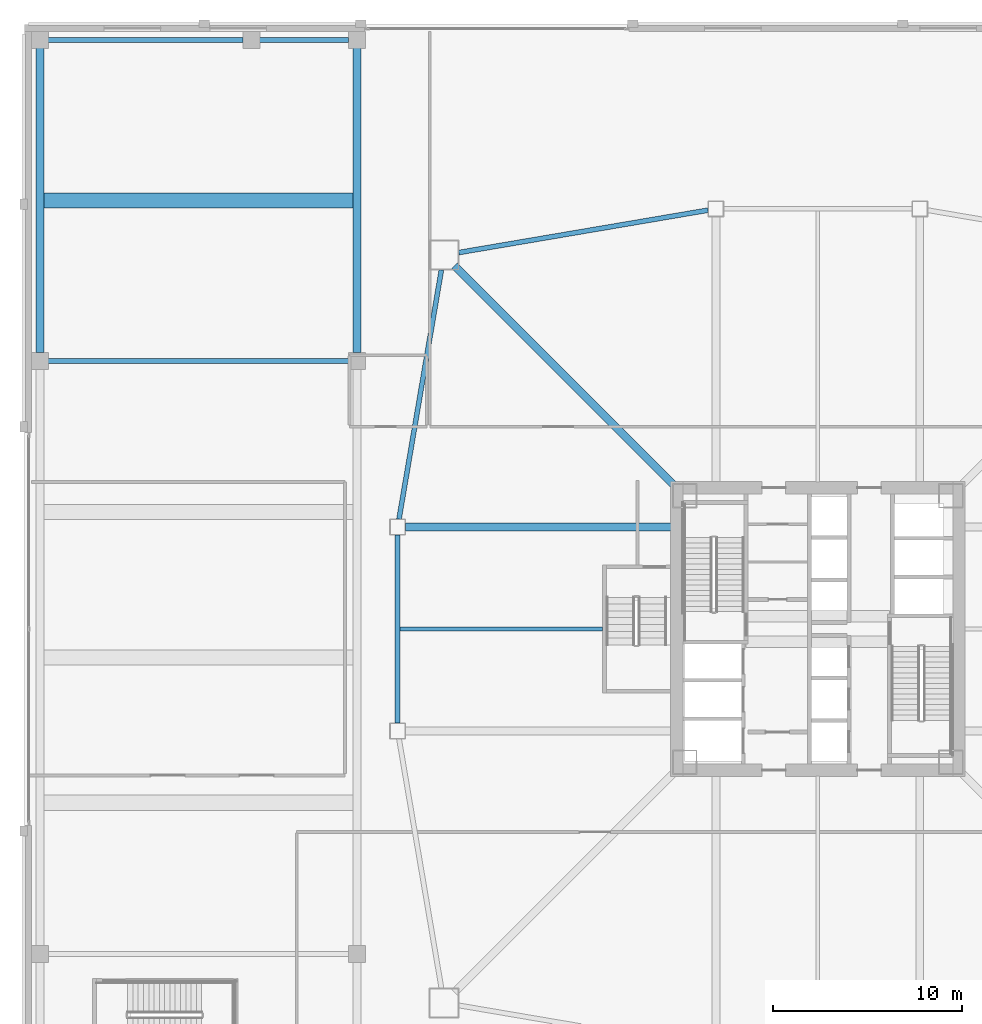
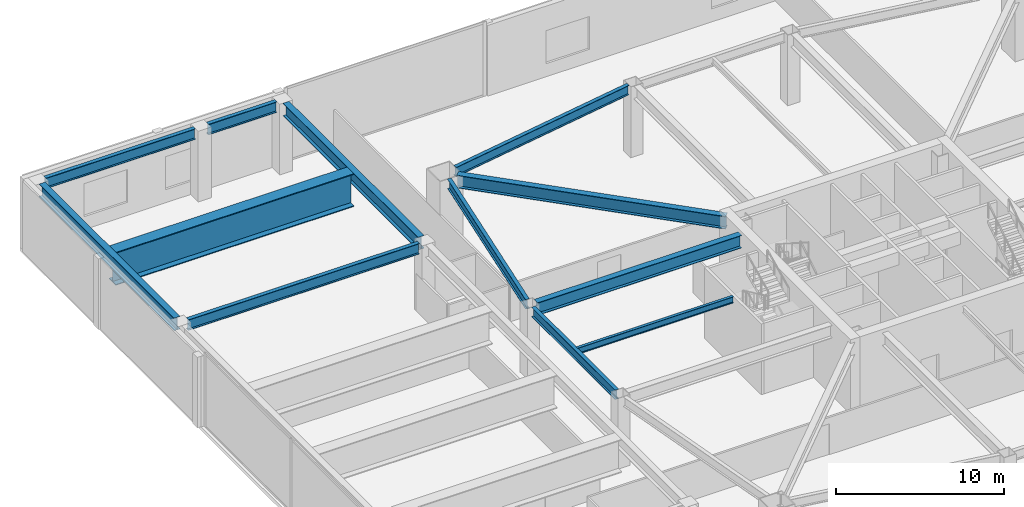
# One storey, part 11 of 48: 12 beams.
"""IFC4 building model written with IfcOpenShell, lengths in metres."""

from ifc_helpers import new_model, si_unit, direction, frame, origin, origin_2d, place, context, subcontext, project, spatial, i_section, extrude, material, material_profile, profile_set, type_object, element, save


model = new_model("IFC4")

# Units and contexts
model_context = context("Model", 3, precision=1e-05, world=origin(), true_north=direction((0.0, 1.0)))
body_context = subcontext(model_context, "Body", "Model", "MODEL_VIEW")
ifc_project = project(units=[si_unit("LENGTHUNIT", "METRE"), si_unit("AREAUNIT", "SQUARE_METRE"), si_unit("VOLUMEUNIT", "CUBIC_METRE"), si_unit("PLANEANGLEUNIT", "RADIAN"), si_unit("MASSUNIT", "GRAM", prefix="KILO")], contexts=[model_context])

# Site, building, storey
site_placement = place(None, origin())
site = spatial("IfcSite", under=ifc_project, at=site_placement, CompositionType="ELEMENT")
building_placement = place(site_placement, origin())
building = spatial("IfcBuilding", under=site, at=building_placement, Name="Tashvorn Skyway Center", CompositionType="ELEMENT")
storey_placement = place(building_placement, frame((0.0, 0.0, 10.199951171875)))
storey = spatial("IfcBuildingStorey", under=building, at=storey_placement, Name="L02", CompositionType="ELEMENT", Elevation=10.199951171875)

# Beams
ifc_material_1 = material(Name="Steel ASTM A572 Grade 50", Category="steel")
ifc_material_profile_1 = material_profile(ifc_material_1, i_section(OverallWidth=0.800048828125, OverallDepth=2.39990234375, WebThickness=0.035888671875, FlangeThickness=0.06005859375, at=origin_2d()), Name="PG2400x800")
ifc_profile_set_1 = profile_set([ifc_material_profile_1], Name="Steel ASTM A572 Grade 50")
beam_type_1 = type_object("IfcBeamType", Name="BM-BEAM-PG2400x800", PredefinedType="BEAM", material=ifc_profile_set_1)
beam_1_placement = place(storey_placement, frame((1.00146484375, 54.699951171875, 3.93994140625), z_axis=(1.0, 0.0, 0.0), x_axis=(0.0, 1.0, 0.0)))
element("IfcBeam", 1, at=beam_1_placement, inside=storey, type_object=beam_type_1, Name="L02 West Auditorium Span Girder 08", PredefinedType="BEAM", context=body_context, shape_type="SweptSolid", body=[
    extrude(i_section(OverallWidth=0.800048828125, OverallDepth=2.39990234375, WebThickness=0.035888671875, FlangeThickness=0.06005859375, at=origin_2d()), origin(), (0.0, 0.0, 1.0), 16.39697265625),
])
ifc_material_2 = material(Name="Steel ASTM A992 Grade 50", Category="steel")
ifc_material_profile_2 = material_profile(ifc_material_2, i_section(OverallWidth=0.26708984375, OverallDepth=0.779052734375, WebThickness=0.0166015625, FlangeThickness=0.030029296875, at=origin_2d()), Name="W30X148")
ifc_profile_set_2 = profile_set([ifc_material_profile_2], Name="Steel ASTM A992 Grade 50")
beam_type_2 = type_object("IfcBeamType", Name="BM-BEAM-W30X148", PredefinedType="BEAM", material=ifc_profile_set_2)
beam_2_placement = place(storey_placement, frame((1.2451171875, 46.199951171875, 4.75048828125), z_axis=(1.0, 0.0, 0.0), x_axis=(0.0, 1.0, 0.0)))
element("IfcBeam", 2, at=beam_2_placement, inside=storey, type_object=beam_type_2, Name="L02 West Auditorium Span Girder 07", PredefinedType="BEAM", context=body_context, shape_type="SweptSolid", body=[
    extrude(i_section(OverallWidth=0.26708984375, OverallDepth=0.779052734375, WebThickness=0.0166015625, FlangeThickness=0.030029296875, at=origin_2d()), origin(), (0.0, 0.0, 1.0), 15.909912109375),
])
beam_3_placement = place(storey_placement, frame((1.2451171875, 63.199951171875, 4.75048828125), z_axis=(1.0, 0.0, 0.0), x_axis=(0.0, 1.0, 0.0)))
element("IfcBeam", 3, at=beam_3_placement, inside=storey, type_object=beam_type_2, Name="L02 West Edge Girder A 09", PredefinedType="BEAM", context=body_context, shape_type="SweptSolid", body=[
    extrude(i_section(OverallWidth=0.26708984375, OverallDepth=0.779052734375, WebThickness=0.0166015625, FlangeThickness=0.030029296875, at=origin_2d()), origin(), (0.0, 0.0, 1.0), 10.309814453125),
])
beam_4_placement = place(storey_placement, frame((12.445068359375, 63.199951171875, 4.75048828125), z_axis=(1.0, 0.0, 0.0), x_axis=(0.0, 1.0, 0.0)))
element("IfcBeam", 4, at=beam_4_placement, inside=storey, type_object=beam_type_2, Name="L02 West Edge Girder B 09", PredefinedType="BEAM", context=body_context, shape_type="SweptSolid", body=[
    extrude(i_section(OverallWidth=0.26708984375, OverallDepth=0.779052734375, WebThickness=0.0166015625, FlangeThickness=0.030029296875, at=origin_2d()), origin(), (0.0, 0.0, 1.0), 4.7099609375),
])
ifc_material_3 = material(Name="Steel ASTM A913 Grade 65", Category="steel")
ifc_material_profile_3 = material_profile(ifc_material_3, i_section(OverallWidth=0.4189453125, OverallDepth=0.927001953125, WebThickness=0.019287109375, FlangeThickness=0.031982421875, at=origin_2d()), Name="W36X231")
ifc_profile_set_3 = profile_set([ifc_material_profile_3], Name="Steel ASTM A913 Grade 65")
beam_type_3 = type_object("IfcBeamType", Name="BM-BEAM-W36X231", PredefinedType="BEAM", material=ifc_profile_set_3)
beam_5_placement = place(storey_placement, frame((22.76220703125, 51.23779296875, 4.676513671875), z_axis=(0.707106781187, -0.707106781187, 0.0), x_axis=(0.707106781187, 0.707106781187, 0.0)))
element("IfcBeam", 5, at=beam_5_placement, inside=storey, type_object=beam_type_3, Name="Tower 1 L02 Primary Floor Girder MC-NW", PredefinedType="BEAM", context=body_context, shape_type="SweptSolid", body=[
    extrude(i_section(OverallWidth=0.4189453125, OverallDepth=0.927001953125, WebThickness=0.019287109375, FlangeThickness=0.031982421875, at=origin_2d()), origin(), (0.0, 0.0, 1.0), 16.591064453125),
])
beam_6_placement = place(storey_placement, frame((20.169921875, 37.39990234375, 4.676513671875), z_axis=(1.0, 0.0, 0.0), x_axis=(0.0, 1.0, 0.0)))
element("IfcBeam", 6, at=beam_6_placement, inside=storey, type_object=beam_type_3, Name="Tower 1 L02 Primary Floor Girder FC-W1", PredefinedType="BEAM", context=body_context, shape_type="SweptSolid", body=[
    extrude(i_section(OverallWidth=0.4189453125, OverallDepth=0.927001953125, WebThickness=0.019287109375, FlangeThickness=0.031982421875, at=origin_2d()), origin(), (0.0, 0.0, 1.0), 14.050048828125),
])
for number, where, z_axis, x_axis, name in (
    (7, (0.800048828125, 46.64501953125, 4.676513671875), (0.0, 1.0, 0.0), (-1.0, 0.0, 0.0), "L02 North-South Podium Girder 01-N"),
    (8, (17.60009765625, 46.64501953125, 4.676513671875), (0.0, 1.0, 0.0), (-1.0, 0.0, 0.0), "L02 North-South Podium Girder 02-N"),
):
    element("IfcBeam", number, at=place(storey_placement, frame(where, z_axis=z_axis, x_axis=x_axis)), inside=storey, type_object=beam_type_3, Name=name, PredefinedType="BEAM", context=body_context, shape_type="SweptSolid", body=[
        extrude(i_section(OverallWidth=0.4189453125, OverallDepth=0.927001953125, WebThickness=0.019287109375, FlangeThickness=0.031982421875, at=origin_2d()), origin(), (0.0, 0.0, 1.0), 16.10986328125),
    ])
ifc_material_profile_4 = material_profile(ifc_material_2, i_section(OverallWidth=0.19091796875, OverallDepth=0.4599609375, WebThickness=0.010009765625, FlangeThickness=0.01611328125, at=origin_2d()), Name="W18X55")
ifc_profile_set_4 = profile_set([ifc_material_profile_4], Name="Steel ASTM A992 Grade 50")
beam_type_4 = type_object("IfcBeamType", Name="BM-JOIST-W18X55", PredefinedType="JOIST", material=ifc_profile_set_4)
beam_7_placement = place(storey_placement, frame((30.610107421875, 32.0, 4.91015625), z_axis=(-1.0, 0.0, 0.0), x_axis=(0.0, -1.0, 0.0)))
element("IfcBeam", 9, at=beam_7_placement, inside=storey, type_object=beam_type_4, Name="Tower 1 L02 Secondary Composite Joist JW", PredefinedType="JOIST", context=body_context, shape_type="SweptSolid", body=[
    extrude(i_section(OverallWidth=0.19091796875, OverallDepth=0.4599609375, WebThickness=0.010009765625, FlangeThickness=0.01611328125, at=origin_2d()), origin(), (0.0, 0.0, 1.0), 10.739990234375),
])
ifc_material_profile_5 = material_profile(ifc_material_2, i_section(OverallWidth=0.256103515625, OverallDepth=0.693115234375, WebThickness=0.014404296875, FlangeThickness=0.023681640625, at=origin_2d()), Name="W27X114")
ifc_profile_set_5 = profile_set([ifc_material_profile_5], Name="Steel ASTM A992 Grade 50")
beam_type_5 = type_object("IfcBeamType", Name="BM-SPANDREL-W27X114", PredefinedType="SPANDREL", material=ifc_profile_set_5)
for number, where, z_axis, x_axis, name in (
    (10, (36.18603515625, 54.179443359375, 4.79345703125), (-0.985835025551, -0.16771792509, 0.0), (0.16771792509, -0.985835025551, 0.0), "Tower 1 L02 Spandrel Beam 09"),
    (11, (22.066650390625, 51.016357421875, 4.79345703125), (-0.16771792509, -0.985835025551, 0.0), (0.985835025551, -0.16771792509, 0.0), "Tower 1 L02 Spandrel Beam 10"),
):
    element("IfcBeam", number, at=place(storey_placement, frame(where, z_axis=z_axis, x_axis=x_axis)), inside=storey, type_object=beam_type_5, Name=name, PredefinedType="SPANDREL", context=body_context, shape_type="SweptSolid", body=[
        extrude(i_section(OverallWidth=0.256103515625, OverallDepth=0.693115234375, WebThickness=0.014404296875, FlangeThickness=0.023681640625, at=origin_2d()), origin(), (0.0, 0.0, 1.0), 13.39208984375),
    ])
beam_8_placement = place(storey_placement, frame((19.75, 36.97998046875, 4.79345703125), z_axis=(0.0, -1.0, 0.0), x_axis=(1.0, 0.0, 0.0)))
element("IfcBeam", 12, at=beam_8_placement, inside=storey, type_object=beam_type_5, Name="Tower 1 L02 Spandrel Beam 11", PredefinedType="SPANDREL", context=body_context, shape_type="SweptSolid", body=[
    extrude(i_section(OverallWidth=0.256103515625, OverallDepth=0.693115234375, WebThickness=0.014404296875, FlangeThickness=0.023681640625, at=origin_2d()), origin(), (0.0, 0.0, 1.0), 9.9599609375),
])

save(model, "model.ifc")
